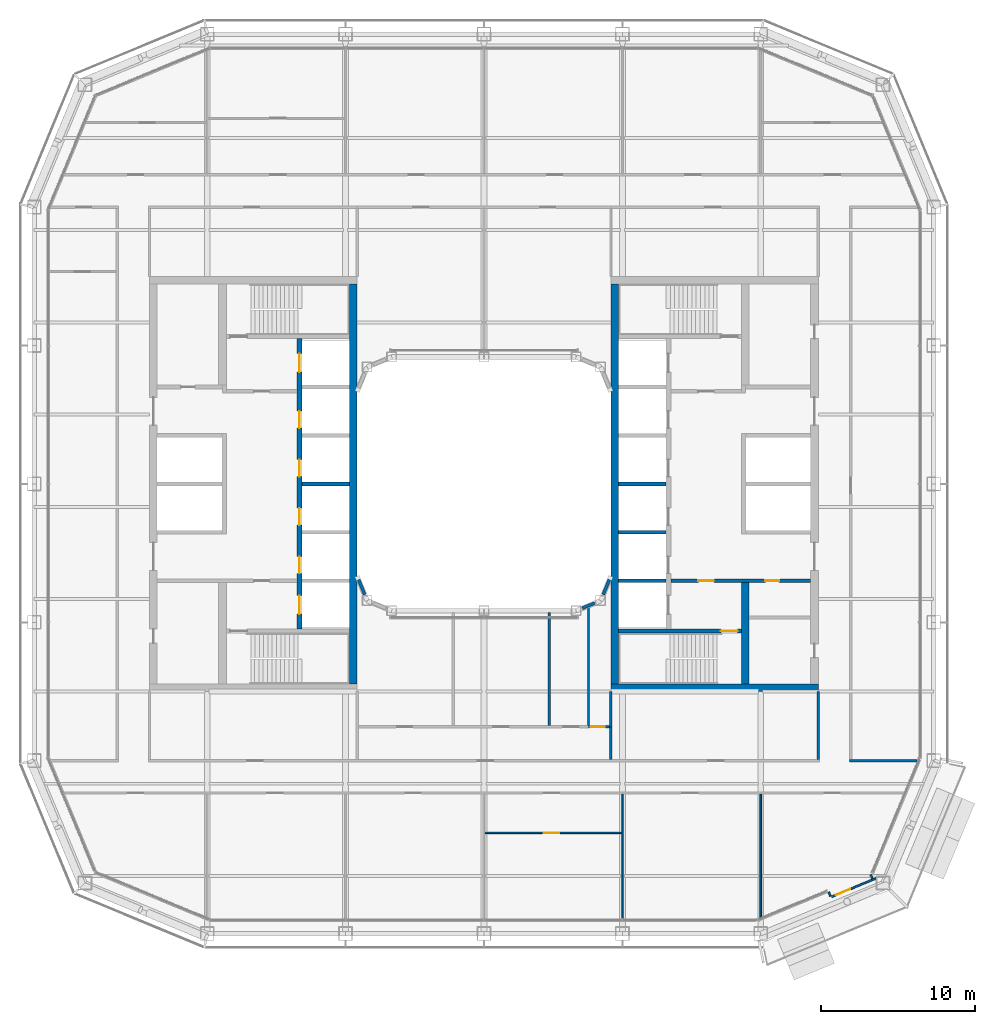
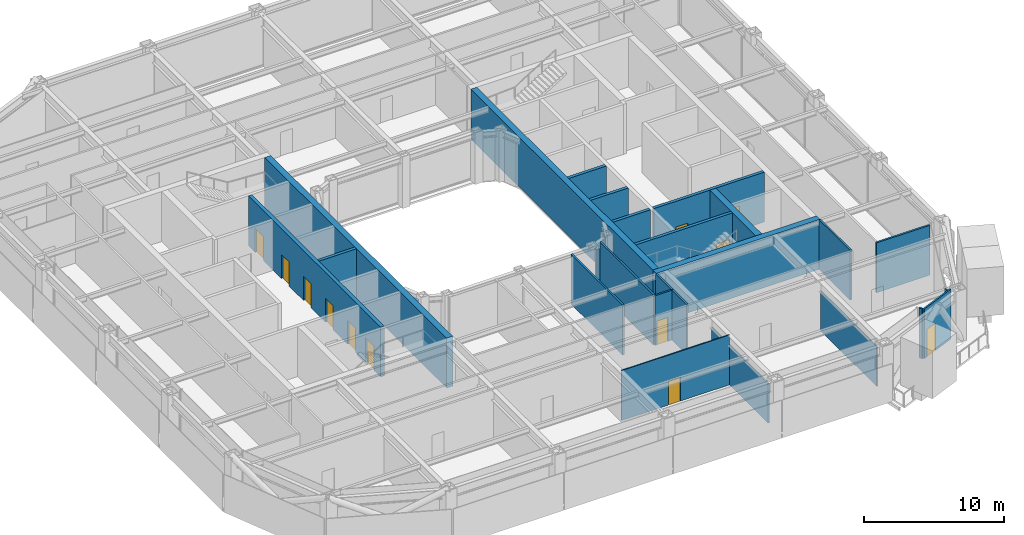
# One storey, part 12 of 23: 27 walls, 12 doors, 12 openings.
"""IFC4 building model written with IfcOpenShell, lengths in metres."""

from ifc_helpers import new_model, si_unit, direction, frame, frame_2d, origin, place, context, subcontext, project, spatial, rectangle, extrude, material, layer, layer_set, type_object, element, fill, save


model = new_model("IFC4")

# Units and contexts
model_context = context("Model", 3, precision=1e-05, world=origin(), true_north=direction((0.0, 1.0)))
body_context = subcontext(model_context, "Body", "Model", "MODEL_VIEW")
ifc_project = project(units=[si_unit("LENGTHUNIT", "METRE"), si_unit("AREAUNIT", "SQUARE_METRE"), si_unit("VOLUMEUNIT", "CUBIC_METRE"), si_unit("PLANEANGLEUNIT", "RADIAN"), si_unit("MASSUNIT", "GRAM", prefix="KILO")], contexts=[model_context])

# Site, building, storey
site_placement = place(None, origin())
site = spatial("IfcSite", under=ifc_project, at=site_placement, CompositionType="ELEMENT")
building_placement = place(site_placement, origin())
building = spatial("IfcBuilding", under=site, at=building_placement, Name="Siwar Civic Tower", CompositionType="ELEMENT")
storey_placement = place(building_placement, frame((0.0, 0.0, 163.199951171875)))
storey = spatial("IfcBuildingStorey", under=building, at=storey_placement, Name="L35", CompositionType="ELEMENT", Elevation=163.199951171875)

# Wall, opening, door
ifc_material_1 = material(Name="Gypsum board on steel studs", Category="steel")
ifc_layer_1 = layer(ifc_material_1, 0.14990234375)
ifc_layer_set_1 = layer_set([ifc_layer_1], Name="Gypsum board on steel studs")
wall_type_1 = type_object("IfcWallType", Name="COMPARTMENT PARTITION 150 EI 60", PredefinedType="PARTITIONING", material=ifc_layer_set_1)
wall_1_placement = place(storey_placement, frame((6.800048828125, -15.800048828125, 0.0), z_axis=(0.0, 0.0, 1.0), x_axis=(1.0, 0.0, 0.0)))
wall_1 = element("IfcWall", 1, at=wall_1_placement, inside=storey, type_object=wall_type_1, Name="L35/wall/P07", PredefinedType="PARTITIONING", context=body_context, shape_type="SweptSolid", body=[
    extrude(rectangle(XDim=1.375, YDim=0.14990234375, at=frame_2d((0.6875, 0.0))), origin(), (0.0, 0.0, 1.0), 4.35009765625),
])
opening_1_placement = place(wall_1_placement, frame((0.14990234375, 0.0, 0.0)))
opening_1 = element("IfcOpeningElement", 2, at=opening_1_placement, cuts=wall_1, Name="Opening D4", PredefinedType="OPENING", context=body_context, shape_type="SweptSolid", body=[
    extrude(rectangle(XDim=0.89990234375, YDim=2.10009765625, at=frame_2d((0.449951171875, 1.050048828125))), frame((0.0, 0.0849609375, 0.0), z_axis=(0.0, -1.0, 0.0), x_axis=(1.0, 0.0, 0.0)), (0.0, 0.0, 1.0), 0.169921875),
])
ifc_material_2 = material(Name="Timber, painted", Category="wood")
door_type_1 = type_object("IfcDoorType", Name="DOOR 900 X 2100 FD60", OperationType="SINGLE_SWING_LEFT", PredefinedType="DOOR", material=ifc_material_2)
door_1_placement = place(opening_1_placement, origin())
door_1 = element("IfcDoor", 3, at=door_1_placement, inside=storey, type_object=door_type_1, Name="L35-D23", OperationType="SINGLE_SWING_LEFT", OverallHeight=2.10009765625, OverallWidth=0.89990234375, PredefinedType="DOOR", context=body_context, shape_type="SweptSolid", body=[
    extrude(rectangle(XDim=0.89990234375, YDim=2.10009765625, at=frame_2d((0.449951171875, 1.050048828125))), frame((0.0, 0.02490234375, 0.0), z_axis=(0.0, -1.0, 0.0), x_axis=(1.0, 0.0, 0.0)), (0.0, 0.0, 1.0), 0.050048828125),
])
fill(opening_1, door_1)

# Walls
wall_2_placement = place(storey_placement, frame((6.800048828125, -15.72509765625, 0.0), z_axis=(0.0, 0.0, 1.0), x_axis=(0.0, 1.0, 0.0)))
element("IfcWall", 4, at=wall_2_placement, inside=storey, type_object=wall_type_1, Name="L35/wall/P32", PredefinedType="PARTITIONING", context=body_context, shape_type="SweptSolid", body=[
    extrude(rectangle(XDim=7.656005859375, YDim=0.14990234375, at=frame_2d((3.828125, 0.0))), origin(), (0.0, 0.0, 1.0), 4.35009765625),
])
wall_3_placement = place(storey_placement, frame((8.25, -15.800048828125, 0.0), z_axis=(0.0, 0.0, 1.0), x_axis=(0.0, 1.0, 0.0)))
element("IfcWall", 5, at=wall_3_placement, inside=storey, type_object=wall_type_1, Name="L35/wall/P35", PredefinedType="PARTITIONING", context=body_context, shape_type="SweptSolid", body=[
    extrude(rectangle(XDim=2.300048828125, YDim=0.14990234375, at=frame_2d((1.14990234375, 0.0))), origin(), (0.0, 0.0, 1.0), 4.35009765625),
])
ifc_material_3 = material(Name="Concrete C60/75", Category="concrete")
ifc_layer_2 = layer(ifc_material_3, 0.25)
ifc_layer_set_2 = layer_set([ifc_layer_2], Name="Concrete C60/75")
wall_type_2 = type_object("IfcWallType", Name="CORE-WALL-RC250", PredefinedType="SHEAR", material=ifc_layer_set_2)
wall_4_placement = place(storey_placement, frame((-8.75, 0.0, 0.0), z_axis=(0.0, 0.0, 1.0), x_axis=(-1.0, 0.0, 0.0)))
element("IfcWall", 6, at=wall_4_placement, inside=storey, type_object=wall_type_2, Name="Core wall W", PredefinedType="SHEAR", context=body_context, shape_type="SweptSolid", body=[
    extrude(rectangle(XDim=3.10009765625, YDim=0.25, at=frame_2d((1.550048828125, 0.0))), origin(), (0.0, 0.0, 1.0), 4.35009765625),
])

# Wall, openings, doors
wall_5_placement = place(storey_placement, frame((12.14990234375, -6.300048828125, 0.0), z_axis=(0.0, 0.0, 1.0), x_axis=(1.0, 0.0, 0.0)))
wall_5 = element("IfcWall", 7, at=wall_5_placement, inside=storey, type_object=wall_type_2, Name="Core wall E", PredefinedType="SHEAR", context=body_context, shape_type="SweptSolid", body=[
    extrude(rectangle(XDim=9.10009765625, YDim=0.25, at=frame_2d((4.550048828125, 0.0))), origin(), (0.0, 0.0, 1.0), 4.35009765625),
])
opening_2_placement = place(wall_5_placement, frame((1.800048828125, 0.0, 0.0)))
opening_2 = element("IfcOpeningElement", 8, at=opening_2_placement, cuts=wall_5, Name="Opening L35-CE02", PredefinedType="OPENING", context=body_context, shape_type="SweptSolid", body=[
    extrude(rectangle(XDim=1.0, YDim=2.10009765625, at=frame_2d((0.5, 1.050048828125))), frame((0.0, 0.135009765625, 0.0), z_axis=(0.0, -1.0, 0.0), x_axis=(1.0, 0.0, 0.0)), (0.0, 0.0, 1.0), 0.27001953125),
])
opening_3_placement = place(wall_5_placement, frame((6.14990234375, 0.0, 0.0)))
opening_3 = element("IfcOpeningElement", 9, at=opening_3_placement, cuts=wall_5, Name="Opening L35-CE14", PredefinedType="OPENING", context=body_context, shape_type="SweptSolid", body=[
    extrude(rectangle(XDim=0.89990234375, YDim=2.10009765625, at=frame_2d((0.449951171875, 1.050048828125))), frame((0.0, 0.135009765625, 0.0), z_axis=(0.0, -1.0, 0.0), x_axis=(1.0, 0.0, 0.0)), (0.0, 0.0, 1.0), 0.27001953125),
])
ifc_material_4 = material(Name="Steel door leaf", Category="steel")
door_type_2 = type_object("IfcDoorType", Name="CORE-DOOR-FD30S", OperationType="SINGLE_SWING_LEFT", PredefinedType="DOOR", material=ifc_material_4)
door_2_placement = place(opening_2_placement, origin())
door_2 = element("IfcDoor", 10, at=door_2_placement, inside=storey, type_object=door_type_2, Name="Service lobby door L35-CE02", OperationType="SINGLE_SWING_LEFT", OverallHeight=2.10009765625, OverallWidth=1.0, PredefinedType="DOOR", context=body_context, shape_type="SweptSolid", body=[
    extrude(rectangle(XDim=1.0, YDim=2.10009765625, at=frame_2d((0.5, 1.050048828125))), frame((0.0, 0.02490234375, 0.0), z_axis=(0.0, -1.0, 0.0), x_axis=(1.0, 0.0, 0.0)), (0.0, 0.0, 1.0), 0.050048828125),
])
fill(opening_2, door_2)
ifc_material_5 = material(Name="Steel door leaf", Category="steel")
door_type_3 = type_object("IfcDoorType", Name="CORE-DOOR-ROOM", OperationType="SINGLE_SWING_LEFT", PredefinedType="DOOR", material=ifc_material_5)
door_3_placement = place(opening_3_placement, origin())
door_3 = element("IfcDoor", 11, at=door_3_placement, inside=storey, type_object=door_type_3, Name="Core room door L35-CE14", OperationType="SINGLE_SWING_LEFT", OverallHeight=2.10009765625, OverallWidth=0.89990234375, PredefinedType="DOOR", context=body_context, shape_type="SweptSolid", body=[
    extrude(rectangle(XDim=0.89990234375, YDim=2.10009765625, at=frame_2d((0.449951171875, 1.050048828125))), frame((0.0, 0.02490234375, 0.0), z_axis=(0.0, -1.0, 0.0), x_axis=(1.0, 0.0, 0.0)), (0.0, 0.0, 1.0), 0.050048828125),
])
fill(opening_3, door_3)

# Walls
for number, where, z_axis, x_axis, name in (
    (12, (8.75, 0.0, 0.0), (0.0, 0.0, 1.0), (1.0, 0.0, 0.0), "Core wall E"),
    (13, (8.75, -3.14990234375, 0.0), (0.0, 0.0, 1.0), (1.0, 0.0, 0.0), "Core wall E"),
    (14, (8.75, -6.300048828125, 0.0), (0.0, 0.0, 1.0), (1.0, 0.0, 0.0), "Core wall E"),
):
    element("IfcWall", number, at=place(storey_placement, frame(where, z_axis=z_axis, x_axis=x_axis)), inside=storey, type_object=wall_type_2, Name=name, PredefinedType="SHEAR", context=body_context, shape_type="SweptSolid", body=[
        extrude(rectangle(XDim=3.10009765625, YDim=0.25, at=frame_2d((1.550048828125, 0.0))), origin(), (0.0, 0.0, 1.0), 4.35009765625),
    ])

# Wall, opening, door
wall_6_placement = place(storey_placement, frame((8.75, -9.574951171875, 0.0), z_axis=(0.0, 0.0, 1.0), x_axis=(1.0, 0.0, 0.0)))
wall_6 = element("IfcWall", 15, at=wall_6_placement, inside=storey, type_object=wall_type_2, Name="Core wall E", PredefinedType="SHEAR", context=body_context, shape_type="SweptSolid", body=[
    extrude(rectangle(XDim=8.0, YDim=0.25, at=frame_2d((4.0, 0.0))), origin(), (0.0, 0.0, 1.0), 4.35009765625),
])
opening_4_placement = place(wall_6_placement, frame((6.64990234375, 0.0, 0.0)))
opening_4 = element("IfcOpeningElement", 16, at=opening_4_placement, cuts=wall_6, Name="Opening L35-CE04", PredefinedType="OPENING", context=body_context, shape_type="SweptSolid", body=[
    extrude(rectangle(XDim=1.10009765625, YDim=2.10009765625, at=frame_2d((0.550048828125, 1.050048828125))), frame((0.0, 0.135009765625, 0.0), z_axis=(0.0, -1.0, 0.0), x_axis=(1.0, 0.0, 0.0)), (0.0, 0.0, 1.0), 0.27001953125),
])
ifc_material_6 = material(Name="Steel door leaf", Category="steel")
door_type_4 = type_object("IfcDoorType", Name="CORE-DOOR-FD60S", OperationType="SINGLE_SWING_LEFT", PredefinedType="DOOR", material=ifc_material_6)
door_4_placement = place(opening_4_placement, origin())
door_4 = element("IfcDoor", 17, at=door_4_placement, inside=storey, type_object=door_type_4, Name="Stair door L35-CE04", OperationType="SINGLE_SWING_RIGHT", OverallHeight=2.10009765625, OverallWidth=1.10009765625, PredefinedType="DOOR", context=body_context, shape_type="SweptSolid", body=[
    extrude(rectangle(XDim=1.10009765625, YDim=2.10009765625, at=frame_2d((0.550048828125, 1.050048828125))), frame((0.0, 0.02490234375, 0.0), z_axis=(0.0, -1.0, 0.0), x_axis=(1.0, 0.0, 0.0)), (0.0, 0.0, 1.0), 0.050048828125),
])
fill(opening_4, door_4)

# Wall, openings, doors
ifc_material_7 = material(Name="Concrete C60/75", Category="concrete")
ifc_layer_3 = layer(ifc_material_7, 0.300048828125)
ifc_layer_set_3 = layer_set([ifc_layer_3], Name="Concrete C60/75")
wall_type_3 = type_object("IfcWallType", Name="CORE-WALL-RC300", PredefinedType="SHEAR", material=ifc_layer_set_3)
wall_7_placement = place(storey_placement, frame((-12.0, -9.449951171875, 0.0), z_axis=(0.0, 0.0, 1.0), x_axis=(0.0, 1.0, 0.0)))
wall_7 = element("IfcWall", 18, at=wall_7_placement, inside=storey, type_object=wall_type_3, Name="Core wall W", PredefinedType="SHEAR", context=body_context, shape_type="SweptSolid", body=[
    extrude(rectangle(XDim=18.89990234375, YDim=0.300048828125, at=frame_2d((9.449951171875, 0.0))), origin(), (0.0, 0.0, 1.0), 4.35009765625),
])
opening_5_placement = place(wall_7_placement, frame((3.625, 0.0, 0.0)))
opening_5 = element("IfcOpeningElement", 19, at=opening_5_placement, cuts=wall_7, Name="Opening L35-CW07", PredefinedType="OPENING", context=body_context, shape_type="SweptSolid", body=[
    extrude(rectangle(XDim=1.10009765625, YDim=2.10009765625, at=frame_2d((0.550048828125, 1.050048828125))), frame((0.0, 0.16015625, 0.0), z_axis=(0.0, -1.0, 0.0), x_axis=(1.0, 0.0, 0.0)), (0.0, 0.0, 1.0), 0.320068359375),
])
opening_6_placement = place(wall_7_placement, frame((6.77490234375, 0.0, 0.0)))
opening_6 = element("IfcOpeningElement", 20, at=opening_6_placement, cuts=wall_7, Name="Opening L35-CW08", PredefinedType="OPENING", context=body_context, shape_type="SweptSolid", body=[
    extrude(rectangle(XDim=1.10009765625, YDim=2.10009765625, at=frame_2d((0.550048828125, 1.050048828125))), frame((0.0, 0.16015625, 0.0), z_axis=(0.0, -1.0, 0.0), x_axis=(1.0, 0.0, 0.0)), (0.0, 0.0, 1.0), 0.320068359375),
])
opening_7_placement = place(wall_7_placement, frame((9.925048828125, 0.0, 0.0)))
opening_7 = element("IfcOpeningElement", 21, at=opening_7_placement, cuts=wall_7, Name="Opening L35-CW09", PredefinedType="OPENING", context=body_context, shape_type="SweptSolid", body=[
    extrude(rectangle(XDim=1.10009765625, YDim=2.10009765625, at=frame_2d((0.550048828125, 1.050048828125))), frame((0.0, 0.16015625, 0.0), z_axis=(0.0, -1.0, 0.0), x_axis=(1.0, 0.0, 0.0)), (0.0, 0.0, 1.0), 0.320068359375),
])
opening_8_placement = place(wall_7_placement, frame((13.074951171875, 0.0, 0.0)))
opening_8 = element("IfcOpeningElement", 22, at=opening_8_placement, cuts=wall_7, Name="Opening L35-CW10", PredefinedType="OPENING", context=body_context, shape_type="SweptSolid", body=[
    extrude(rectangle(XDim=1.10009765625, YDim=2.10009765625, at=frame_2d((0.550048828125, 1.050048828125))), frame((0.0, 0.16015625, 0.0), z_axis=(0.0, -1.0, 0.0), x_axis=(1.0, 0.0, 0.0)), (0.0, 0.0, 1.0), 0.320068359375),
])
opening_9_placement = place(wall_7_placement, frame((16.72509765625, 0.0, 0.0)))
opening_9 = element("IfcOpeningElement", 23, at=opening_9_placement, cuts=wall_7, Name="Opening L35-CW11", PredefinedType="OPENING", context=body_context, shape_type="SweptSolid", body=[
    extrude(rectangle(XDim=1.199951171875, YDim=2.10009765625, at=frame_2d((0.60009765625, 1.050048828125))), frame((0.0, 0.16015625, 0.0), z_axis=(0.0, -1.0, 0.0), x_axis=(1.0, 0.0, 0.0)), (0.0, 0.0, 1.0), 0.320068359375),
])
opening_10_placement = place(wall_7_placement, frame((0.97509765625, 0.0, 0.0)))
opening_10 = element("IfcOpeningElement", 24, at=opening_10_placement, cuts=wall_7, Name="Opening L35-CW12", PredefinedType="OPENING", context=body_context, shape_type="SweptSolid", body=[
    extrude(rectangle(XDim=1.199951171875, YDim=2.10009765625, at=frame_2d((0.60009765625, 1.050048828125))), frame((0.0, 0.16015625, 0.0), z_axis=(0.0, -1.0, 0.0), x_axis=(1.0, 0.0, 0.0)), (0.0, 0.0, 1.0), 0.320068359375),
])
ifc_material_8 = material(Name="Steel door leaf", Category="steel")
door_type_5 = type_object("IfcDoorType", Name="CORE-DOOR-LD", OperationType="DOUBLE_DOOR_SLIDING", PredefinedType="DOOR", material=ifc_material_8)
door_5_placement = place(opening_5_placement, origin())
door_5 = element("IfcDoor", 25, at=door_5_placement, inside=storey, type_object=door_type_5, Name="Landing door LR1 L35-CW07", OperationType="DOUBLE_DOOR_SLIDING", OverallHeight=2.10009765625, OverallWidth=1.10009765625, PredefinedType="DOOR", context=body_context, shape_type="SweptSolid", body=[
    extrude(rectangle(XDim=1.10009765625, YDim=2.10009765625, at=frame_2d((0.550048828125, 1.050048828125))), frame((0.0, 0.02490234375, 0.0), z_axis=(0.0, -1.0, 0.0), x_axis=(1.0, 0.0, 0.0)), (0.0, 0.0, 1.0), 0.050048828125),
])
fill(opening_5, door_5)
door_6_placement = place(opening_6_placement, origin())
door_6 = element("IfcDoor", 26, at=door_6_placement, inside=storey, type_object=door_type_5, Name="Landing door LR2 L35-CW08", OperationType="DOUBLE_DOOR_SLIDING", OverallHeight=2.10009765625, OverallWidth=1.10009765625, PredefinedType="DOOR", context=body_context, shape_type="SweptSolid", body=[
    extrude(rectangle(XDim=1.10009765625, YDim=2.10009765625, at=frame_2d((0.550048828125, 1.050048828125))), frame((0.0, 0.02490234375, 0.0), z_axis=(0.0, -1.0, 0.0), x_axis=(1.0, 0.0, 0.0)), (0.0, 0.0, 1.0), 0.050048828125),
])
fill(opening_6, door_6)
door_7_placement = place(opening_7_placement, origin())
door_7 = element("IfcDoor", 27, at=door_7_placement, inside=storey, type_object=door_type_5, Name="Landing door LR3 L35-CW09", OperationType="DOUBLE_DOOR_SLIDING", OverallHeight=2.10009765625, OverallWidth=1.10009765625, PredefinedType="DOOR", context=body_context, shape_type="SweptSolid", body=[
    extrude(rectangle(XDim=1.10009765625, YDim=2.10009765625, at=frame_2d((0.550048828125, 1.050048828125))), frame((0.0, 0.02490234375, 0.0), z_axis=(0.0, -1.0, 0.0), x_axis=(1.0, 0.0, 0.0)), (0.0, 0.0, 1.0), 0.050048828125),
])
fill(opening_7, door_7)
door_8_placement = place(opening_8_placement, origin())
door_8 = element("IfcDoor", 28, at=door_8_placement, inside=storey, type_object=door_type_5, Name="Landing door LR4 L35-CW10", OperationType="DOUBLE_DOOR_SLIDING", OverallHeight=2.10009765625, OverallWidth=1.10009765625, PredefinedType="DOOR", context=body_context, shape_type="SweptSolid", body=[
    extrude(rectangle(XDim=1.10009765625, YDim=2.10009765625, at=frame_2d((0.550048828125, 1.050048828125))), frame((0.0, 0.02490234375, 0.0), z_axis=(0.0, -1.0, 0.0), x_axis=(1.0, 0.0, 0.0)), (0.0, 0.0, 1.0), 0.050048828125),
])
fill(opening_8, door_8)
ifc_material_9 = material(Name="Steel door leaf", Category="steel")
door_type_6 = type_object("IfcDoorType", Name="CORE-DOOR-LDW", OperationType="DOUBLE_DOOR_SLIDING", PredefinedType="DOOR", material=ifc_material_9)
door_9_placement = place(opening_9_placement, origin())
door_9 = element("IfcDoor", 29, at=door_9_placement, inside=storey, type_object=door_type_6, Name="Landing door FF1 L35-CW11", OperationType="DOUBLE_DOOR_SLIDING", OverallHeight=2.10009765625, OverallWidth=1.199951171875, PredefinedType="DOOR", context=body_context, shape_type="SweptSolid", body=[
    extrude(rectangle(XDim=1.199951171875, YDim=2.10009765625, at=frame_2d((0.60009765625, 1.050048828125))), frame((0.0, 0.02490234375, 0.0), z_axis=(0.0, -1.0, 0.0), x_axis=(1.0, 0.0, 0.0)), (0.0, 0.0, 1.0), 0.050048828125),
])
fill(opening_9, door_9)
door_10_placement = place(opening_10_placement, origin())
door_10 = element("IfcDoor", 30, at=door_10_placement, inside=storey, type_object=door_type_6, Name="Landing door SV1 L35-CW12", OperationType="DOUBLE_DOOR_SLIDING", OverallHeight=2.10009765625, OverallWidth=1.199951171875, PredefinedType="DOOR", context=body_context, shape_type="SweptSolid", body=[
    extrude(rectangle(XDim=1.199951171875, YDim=2.10009765625, at=frame_2d((0.60009765625, 1.050048828125))), frame((0.0, 0.02490234375, 0.0), z_axis=(0.0, -1.0, 0.0), x_axis=(1.0, 0.0, 0.0)), (0.0, 0.0, 1.0), 0.050048828125),
])
fill(opening_10, door_10)

# Walls
ifc_material_10 = material(Name="Concrete C60/75", Category="concrete")
ifc_layer_4 = layer(ifc_material_10, 0.5)
ifc_layer_set_4 = layer_set([ifc_layer_4], Name="Concrete C60/75")
wall_type_4 = type_object("IfcWallType", Name="CORE-WALL-RC500", PredefinedType="SHEAR", material=ifc_layer_set_4)
wall_8_placement = place(storey_placement, frame((17.0, -13.0, 0.0), z_axis=(0.0, 0.0, 1.0), x_axis=(0.0, 1.0, 0.0)))
element("IfcWall", 31, at=wall_8_placement, inside=storey, type_object=wall_type_4, Name="Core wall E", PredefinedType="SHEAR", context=body_context, shape_type="SweptSolid", body=[
    extrude(rectangle(XDim=6.574951171875, YDim=0.5, at=frame_2d((3.28759765625, 0.0))), origin(), (0.0, 0.0, 1.0), 4.35009765625),
])
wall_9_placement = place(storey_placement, frame((8.25, -13.25, 0.0), z_axis=(0.0, 0.0, 1.0), x_axis=(1.0, 0.0, 0.0)))
element("IfcWall", 32, at=wall_9_placement, inside=storey, type_object=wall_type_4, Name="Core wall E", PredefinedType="SHEAR", context=body_context, shape_type="SweptSolid", body=[
    extrude(rectangle(XDim=13.5, YDim=0.5, at=frame_2d((6.75, 0.0))), origin(), (0.0, 0.0, 1.0), 4.35009765625),
])
ifc_material_11 = material(Name="Concrete C60/75", Category="concrete")
ifc_layer_5 = layer(ifc_material_11, 0.5)
ifc_layer_set_5 = layer_set([ifc_layer_5], Name="Concrete C60/75")
wall_type_5 = type_object("IfcWallType", Name="CORE-WALL-RC500-EXT", PredefinedType="SHEAR", material=ifc_layer_set_5)
for number, where, z_axis, x_axis, name in (
    (33, (-8.5, -13.0, 0.0), (0.0, 0.0, 1.0), (0.0, 1.0, 0.0), "Core wall W"),
    (34, (8.5, -13.0, 0.0), (0.0, 0.0, 1.0), (0.0, 1.0, 0.0), "Core wall E"),
):
    element("IfcWall", number, at=place(storey_placement, frame(where, z_axis=z_axis, x_axis=x_axis)), inside=storey, type_object=wall_type_5, Name=name, PredefinedType="SHEAR", context=body_context, shape_type="SweptSolid", body=[
        extrude(rectangle(XDim=26.0, YDim=0.5, at=frame_2d((13.0, 0.0))), origin(), (0.0, 0.0, 1.0), 4.35009765625),
    ])
ifc_material_12 = material(Name="Gypsum board on steel studs", Category="steel")
ifc_layer_6 = layer(ifc_material_12, 0.14990234375)
ifc_layer_set_6 = layer_set([ifc_layer_6], Name="Gypsum board on steel studs")
wall_type_6 = type_object("IfcWallType", Name="CORRIDOR PARTITION 150 EI 30", PredefinedType="PARTITIONING", material=ifc_layer_set_6)
wall_10_placement = place(storey_placement, frame((23.77490234375, -18.0, 0.0), z_axis=(0.0, 0.0, 1.0), x_axis=(1.0, 0.0, 0.0)))
element("IfcWall", 35, at=wall_10_placement, inside=storey, type_object=wall_type_6, Name="L35/wall/P05", PredefinedType="PARTITIONING", context=body_context, shape_type="SweptSolid", body=[
    extrude(rectangle(XDim=4.403076171875, YDim=0.14990234375, at=frame_2d((2.20166015625, 0.0))), origin(), (0.0, 0.0, 1.0), 4.35009765625),
])
wall_11_placement = place(storey_placement, frame((4.25, -15.72509765625, 0.0), z_axis=(0.0, 0.0, 1.0), x_axis=(0.0, 1.0, 0.0)))
element("IfcWall", 36, at=wall_11_placement, inside=storey, type_object=wall_type_6, Name="L35/wall/P31", PredefinedType="PARTITIONING", context=body_context, shape_type="SweptSolid", body=[
    extrude(rectangle(XDim=7.35498046875, YDim=0.14990234375, at=frame_2d((3.677490234375, 0.0))), origin(), (0.0, 0.0, 1.0), 4.35009765625),
])
wall_12_placement = place(storey_placement, frame((8.25, -17.925048828125, 0.0), z_axis=(0.0, 0.0, 1.0), x_axis=(0.0, 1.0, 0.0)))
element("IfcWall", 37, at=wall_12_placement, inside=storey, type_object=wall_type_6, Name="L35/wall/P34", PredefinedType="PARTITIONING", context=body_context, shape_type="SweptSolid", body=[
    extrude(rectangle(XDim=2.125, YDim=0.14990234375, at=frame_2d((1.0625, 0.0))), origin(), (0.0, 0.0, 1.0), 4.35009765625),
])
wall_13_placement = place(storey_placement, frame((21.75, -17.925048828125, 0.0), z_axis=(0.0, 0.0, 1.0), x_axis=(0.0, 1.0, 0.0)))
element("IfcWall", 38, at=wall_13_placement, inside=storey, type_object=wall_type_6, Name="L35/wall/P40", PredefinedType="PARTITIONING", context=body_context, shape_type="SweptSolid", body=[
    extrude(rectangle(XDim=4.425048828125, YDim=0.14990234375, at=frame_2d((2.21240234375, 0.0))), origin(), (0.0, 0.0, 1.0), 4.35009765625),
])
ifc_material_13 = material(Name="Aluminium clad insulated panel", Category="aluminium")
ifc_layer_7 = layer(ifc_material_13, 0.1201171875)
ifc_layer_set_7 = layer_set([ifc_layer_7], Name="Aluminium clad insulated panel")
wall_type_7 = type_object("IfcWallType", Name="ENV-WALL-BAL", PredefinedType="STANDARD", material=ifc_layer_set_7)
for number, where, z_axis, x_axis, name in (
    (39, (22.42529296875, -26.551025390625, 0.0), (0.0, 0.0, 1.0), (0.382103986862, -0.924119333865, 0.0), "Balcony door wall return SE1"),
    (40, (25.153076171875, -25.421142578125, 0.0), (0.0, 0.0, 1.0), (0.383120166156, -0.923698510492, 0.0), "Balcony door wall return SE1"),
):
    element("IfcWall", number, at=place(storey_placement, frame(where, z_axis=z_axis, x_axis=x_axis)), inside=storey, type_object=wall_type_7, Name=name, PredefinedType="STANDARD", context=body_context, shape_type="SweptSolid", body=[
        extrude(rectangle(XDim=0.2900390625, YDim=0.1201171875, at=frame_2d((0.14501953125, 0.0))), origin(), (0.0, 0.0, 1.0), 4.35009765625),
    ])

# Wall, opening, door
wall_14_placement = place(storey_placement, frame((22.614501953125, -26.8515625, 0.0), z_axis=(0.0, 0.0, 1.0), x_axis=(0.923876066186, 0.382691800707, 0.0)))
wall_14 = element("IfcWall", 41, at=wall_14_placement, inside=storey, type_object=wall_type_7, Name="Balcony door wall SE1", PredefinedType="STANDARD", context=body_context, shape_type="SweptSolid", body=[
    extrude(rectangle(XDim=3.12841796875, YDim=0.1201171875, at=frame_2d((1.564208984375, 0.0))), origin(), (0.0, 0.0, 1.0), 4.35009765625),
])
opening_11_placement = place(wall_14_placement, frame((0.300048828125, 0.0, 0.0)))
opening_11 = element("IfcOpeningElement", 42, at=opening_11_placement, cuts=wall_14, Name="Opening D-BAL", PredefinedType="OPENING", context=body_context, shape_type="SweptSolid", body=[
    extrude(rectangle(XDim=1.0, YDim=2.39990234375, at=frame_2d((0.5, 1.199951171875))), frame((0.0, 0.070068359375, 0.0), z_axis=(0.0, -1.0, 0.0), x_axis=(1.0, 0.0, 0.0)), (0.0, 0.0, 1.0), 0.14013671875),
])
ifc_material_14 = material(Name="Aluminium and glass", Category="aluminium")
door_type_7 = type_object("IfcDoorType", Name="ENV-DOOR-BAL", OperationType="SINGLE_SWING_LEFT", PredefinedType="DOOR", material=ifc_material_14)
door_11_placement = place(opening_11_placement, origin())
door_11 = element("IfcDoor", 43, at=door_11_placement, inside=storey, type_object=door_type_7, Name="Balcony door SE", OperationType="SINGLE_SWING_LEFT", OverallHeight=2.39990234375, OverallWidth=1.0, PredefinedType="DOOR", context=body_context, shape_type="SweptSolid", body=[
    extrude(rectangle(XDim=1.0, YDim=2.39990234375, at=frame_2d((0.5, 1.199951171875))), frame((0.0, 0.02490234375, 0.0), z_axis=(0.0, -1.0, 0.0), x_axis=(1.0, 0.0, 0.0)), (0.0, 0.0, 1.0), 0.050048828125),
])
fill(opening_11, door_11)

# Walls
ifc_material_15 = material(Name="Aluminium clad insulated panel", Category="aluminium")
ifc_layer_8 = layer(ifc_material_15, 0.199951171875)
ifc_layer_set_8 = layer_set([ifc_layer_8], Name="Aluminium clad insulated panel")
wall_type_8 = type_object("IfcWallType", Name="ENV-WALL-WELL", PredefinedType="STANDARD", material=ifc_layer_set_8)
wall_15_placement = place(storey_placement, frame((6.392333984375, -8.08740234375, 0.0), z_axis=(0.0, 0.0, 1.0), x_axis=(0.923894108428, 0.382648241093, 0.0)))
element("IfcWall", 44, at=wall_15_placement, inside=storey, type_object=wall_type_8, Name="Light well corner wall SE1", PredefinedType="STANDARD", context=body_context, shape_type="SweptSolid", body=[
    extrude(rectangle(XDim=0.872802734375, YDim=0.199951171875, at=frame_2d((0.4365234375, 0.0))), origin(), (0.0, 0.0, 1.0), 3.825927734375),
])
for number, where, z_axis, x_axis, name in (
    (45, (7.75341796875, -7.19873046875, 0.0), (0.0, 0.0, 1.0), (0.382694858887, 0.923874799408, 0.0), "Light well corner wall SE2"),
    (46, (-8.154296875, -6.23095703125, 0.0), (0.0, 0.0, 1.0), (0.382694858887, -0.923874799408, 0.0), "Light well corner wall SW1"),
):
    element("IfcWall", number, at=place(storey_placement, frame(where, z_axis=z_axis, x_axis=x_axis)), inside=storey, type_object=wall_type_8, Name=name, PredefinedType="STANDARD", context=body_context, shape_type="SweptSolid", body=[
        extrude(rectangle(XDim=1.047607421875, YDim=0.199951171875, at=frame_2d((0.52392578125, 0.0))), origin(), (0.0, 0.0, 1.0), 3.825927734375),
    ])

# Wall, opening, door
ifc_material_16 = material(Name="Gypsum board on steel studs", Category="steel")
ifc_layer_9 = layer(ifc_material_16, 0.10009765625)
ifc_layer_set_9 = layer_set([ifc_layer_9], Name="Gypsum board on steel studs")
wall_type_9 = type_object("IfcWallType", Name="PARTITION 100 GYPSUM", PredefinedType="PARTITIONING", material=ifc_layer_set_9)
wall_16_placement = place(storey_placement, frame((0.050048828125, -22.699951171875, 0.0), z_axis=(0.0, 0.0, 1.0), x_axis=(1.0, 0.0, 0.0)))
wall_16 = element("IfcWall", 47, at=wall_16_placement, inside=storey, type_object=wall_type_9, Name="L35/wall/P01", PredefinedType="PARTITIONING", context=body_context, shape_type="SweptSolid", body=[
    extrude(rectangle(XDim=8.89990234375, YDim=0.10009765625, at=frame_2d((4.449951171875, 0.0))), origin(), (0.0, 0.0, 1.0), 4.35009765625),
])
opening_12_placement = place(wall_16_placement, frame((3.85009765625, 0.0, 0.0)))
opening_12 = element("IfcOpeningElement", 48, at=opening_12_placement, cuts=wall_16, Name="Opening D2", PredefinedType="OPENING", context=body_context, shape_type="SweptSolid", body=[
    extrude(rectangle(XDim=1.0, YDim=2.10009765625, at=frame_2d((0.5, 1.050048828125))), frame((0.0, 0.06005859375, 0.0), z_axis=(0.0, -1.0, 0.0), x_axis=(1.0, 0.0, 0.0)), (0.0, 0.0, 1.0), 0.1201171875),
])
ifc_material_17 = material(Name="Timber, painted", Category="wood")
door_type_8 = type_object("IfcDoorType", Name="DOOR 1000 X 2100", OperationType="SINGLE_SWING_LEFT", PredefinedType="DOOR", material=ifc_material_17)
door_12_placement = place(opening_12_placement, origin())
door_12 = element("IfcDoor", 49, at=door_12_placement, inside=storey, type_object=door_type_8, Name="L35-D09", OperationType="SINGLE_SWING_LEFT", OverallHeight=2.10009765625, OverallWidth=1.0, PredefinedType="DOOR", context=body_context, shape_type="SweptSolid", body=[
    extrude(rectangle(XDim=1.0, YDim=2.10009765625, at=frame_2d((0.5, 1.050048828125))), frame((0.0, 0.02490234375, 0.0), z_axis=(0.0, -1.0, 0.0), x_axis=(1.0, 0.0, 0.0)), (0.0, 0.0, 1.0), 0.050048828125),
])
fill(opening_12, door_12)

# Walls
wall_17_placement = place(storey_placement, frame((9.0, -28.260009765625, 0.0), z_axis=(0.0, 0.0, 1.0), x_axis=(0.0, 1.0, 0.0)))
element("IfcWall", 50, at=wall_17_placement, inside=storey, type_object=wall_type_9, Name="L35/wall/P36", PredefinedType="PARTITIONING", context=body_context, shape_type="SweptSolid", body=[
    extrude(rectangle(XDim=8.0849609375, YDim=0.10009765625, at=frame_2d((4.04248046875, 0.0))), origin(), (0.0, 0.0, 1.0), 3.449951171875),
])
wall_18_placement = place(storey_placement, frame((18.0, -28.177978515625, 0.0), z_axis=(0.0, 0.0, 1.0), x_axis=(0.0, 1.0, 0.0)))
element("IfcWall", 51, at=wall_18_placement, inside=storey, type_object=wall_type_9, Name="L35/wall/P38", PredefinedType="PARTITIONING", context=body_context, shape_type="SweptSolid", body=[
    extrude(rectangle(XDim=8.0029296875, YDim=0.10009765625, at=frame_2d((4.00146484375, 0.0))), origin(), (0.0, 0.0, 1.0), 3.449951171875),
])

save(model, "model.ifc")
